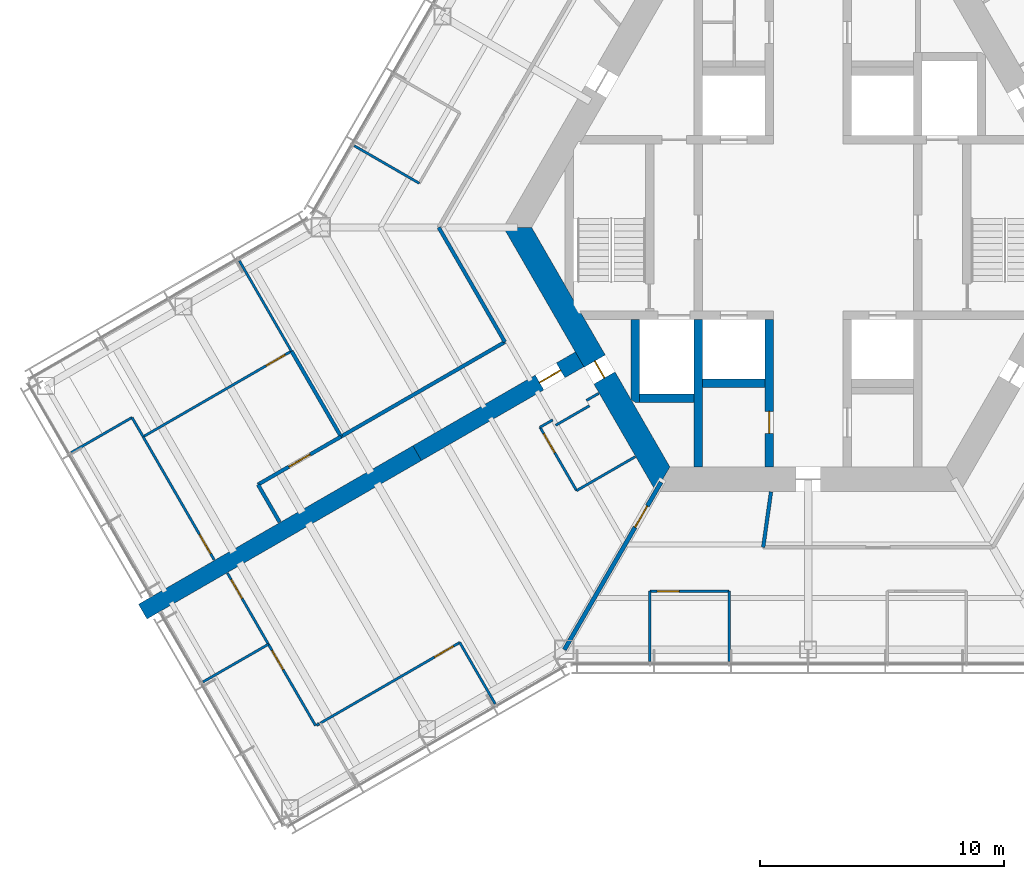
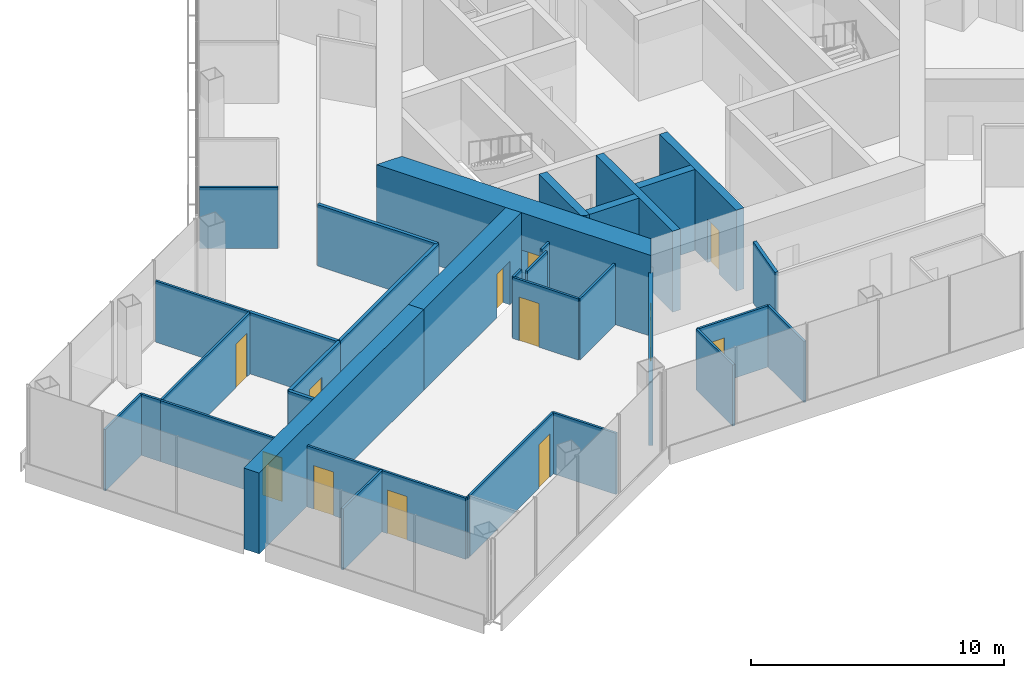
# One storey, part 12 of 18: 35 walls, 12 doors, 12 openings.
"""IFC4 building model written with IfcOpenShell, lengths in metres."""

from ifc_helpers import new_model, si_unit, direction, frame, frame_2d, origin, place, context, subcontext, project, spatial, polyline, rectangle, outline, extrude, material, layer, layer_set, type_object, element, fill, save


model = new_model("IFC4")

# Units and contexts
model_context = context("Model", 3, precision=1e-05, world=origin(), true_north=direction((0.0, 1.0)))
body_context = subcontext(model_context, "Body", "Model", "MODEL_VIEW")
ifc_project = project(units=[si_unit("LENGTHUNIT", "METRE"), si_unit("AREAUNIT", "SQUARE_METRE"), si_unit("VOLUMEUNIT", "CUBIC_METRE"), si_unit("PLANEANGLEUNIT", "RADIAN"), si_unit("MASSUNIT", "GRAM", prefix="KILO")], contexts=[model_context])

# Site, building, storey
site_placement = place(None, origin())
site = spatial("IfcSite", under=ifc_project, at=site_placement, CompositionType="ELEMENT")
building_placement = place(site_placement, origin())
building = spatial("IfcBuilding", under=site, at=building_placement, Name="Kasaneha Research Tower", CompositionType="ELEMENT")
storey_placement = place(building_placement, frame((0.0, 0.0, 179.89990234375)))
storey = spatial("IfcBuildingStorey", under=building, at=storey_placement, Name="L45", CompositionType="ELEMENT", Elevation=179.89990234375)

# Wall, opening, door
ifc_material_1 = material(Name="Concrete Fc70", Category="concrete")
ifc_layer_1 = layer(ifc_material_1, 0.35009765625)
ifc_layer_set_1 = layer_set([ifc_layer_1], Name="Core internal wall 350 Fc70")
wall_type_1 = type_object("IfcWallType", Name="Core internal wall 350 Fc70", PredefinedType="SHEAR", material=ifc_layer_set_1)
wall_1_placement = place(storey_placement, frame((-1.60009765625, -3.77490234375, 0.0), z_axis=(0.0, 0.0, 1.0), x_axis=(0.0, -1.0, 0.0)))
wall_1 = element("IfcWall", 1, at=wall_1_placement, inside=storey, type_object=wall_type_1, Name="Core wall CSW L45", PredefinedType="SHEAR", context=body_context, shape_type="SweptSolid", body=[
    extrude(rectangle(XDim=6.050048828125, YDim=0.35009765625, at=frame_2d((3.02490234375, 0.0))), origin(), (0.0, 0.0, 1.0), 3.900146484375),
])
opening_1_placement = place(wall_1_placement, frame((3.77490234375, 0.0, 0.0)))
opening_1 = element("IfcOpeningElement", 2, at=opening_1_placement, cuts=wall_1, Name="Opening L45-D16", PredefinedType="OPENING", context=body_context, shape_type="SweptSolid", body=[
    extrude(rectangle(XDim=0.89990234375, YDim=2.10009765625, at=frame_2d((0.449951171875, 1.050048828125))), frame((0.0, 0.18505859375, 0.0), z_axis=(0.0, -1.0, 0.0), x_axis=(1.0, 0.0, 0.0)), (0.0, 0.0, 1.0), 0.3701171875),
])
ifc_material_2 = material(Name="Steel", Category="steel")
door_type_1 = type_object("IfcDoorType", Name="Riser access door FD60 900x2100", OperationType="NOTDEFINED", PredefinedType="DOOR", material=ifc_material_2)
door_1_placement = place(opening_1_placement, origin())
door_1 = element("IfcDoor", 3, at=door_1_placement, inside=storey, type_object=door_type_1, Name="Electrical riser door L45-D16", OperationType="SINGLE_SWING_LEFT", OverallHeight=2.10009765625, OverallWidth=0.89990234375, PredefinedType="DOOR", context=body_context, shape_type="SweptSolid", body=[
    extrude(rectangle(XDim=0.89990234375, YDim=2.10009765625, at=frame_2d((0.449951171875, 1.050048828125))), frame((0.0, 0.02490234375, 0.0), z_axis=(0.0, -1.0, 0.0), x_axis=(1.0, 0.0, 0.0)), (0.0, 0.0, 1.0), 0.050048828125),
])
fill(opening_1, door_1)

# Walls
wall_2_placement = place(storey_placement, frame((-4.5, -3.77490234375, 0.0), z_axis=(0.0, 0.0, 1.0), x_axis=(0.0, -1.0, 0.0)))
element("IfcWall", 4, at=wall_2_placement, inside=storey, type_object=wall_type_1, Name="Core wall SSW L45", PredefinedType="SHEAR", context=body_context, shape_type="SweptSolid", body=[
    extrude(rectangle(XDim=6.050048828125, YDim=0.35009765625, at=frame_2d((3.02490234375, 0.0))), origin(), (0.0, 0.0, 1.0), 3.900146484375),
])
wall_3_placement = place(storey_placement, frame((-4.324951171875, -6.39990234375, 0.0), z_axis=(0.0, 0.0, 1.0), x_axis=(1.0, 0.0, 0.0)))
element("IfcWall", 5, at=wall_3_placement, inside=storey, type_object=wall_type_1, Name="Core wall S1S L45", PredefinedType="SHEAR", context=body_context, shape_type="SweptSolid", body=[
    extrude(rectangle(XDim=2.550048828125, YDim=0.35009765625, at=frame_2d((1.27490234375, 0.0))), origin(), (0.0, 0.0, 1.0), 3.900146484375),
])
wall_4_placement = place(storey_placement, frame((-6.925048828125, -7.0, 0.0), z_axis=(0.0, 0.0, 1.0), x_axis=(1.0, 0.0, 0.0)))
element("IfcWall", 6, at=wall_4_placement, inside=storey, type_object=wall_type_1, Name="Core wall F2S L45", PredefinedType="SHEAR", context=body_context, shape_type="SweptSolid", body=[
    extrude(rectangle(XDim=2.25, YDim=0.35009765625, at=frame_2d((1.125, 0.0))), origin(), (0.0, 0.0, 1.0), 3.900146484375),
])
wall_5_placement = place(storey_placement, frame((-7.10009765625, -3.77490234375, 0.0), z_axis=(0.0, 0.0, 1.0), x_axis=(0.0, -1.0, 0.0)))
element("IfcWall", 7, at=wall_5_placement, inside=storey, type_object=wall_type_1, Name="Core wall F2W L45", PredefinedType="SHEAR", context=body_context, shape_type="SweptSolid", body=[
    extrude(outline(polyline([(0.0, -0.175048828125), (3.2744140625, -0.175048828125), (3.400146484375, 0.0), (3.400146484375, 0.175048828125), (0.0, 0.175048828125), (0.0, -0.175048828125)])), origin(), (0.0, 0.0, 1.0), 3.900146484375),
])

# Wall, opening, door
ifc_material_3 = material(Name="Concrete Fc70", Category="concrete")
ifc_layer_2 = layer(ifc_material_3, 1.0)
ifc_layer_set_2 = layer_set([ifc_layer_2], Name="Core wall 1000 Fc70")
wall_type_2 = type_object("IfcWallType", Name="Core wall 1000 Fc70", PredefinedType="SHEAR", material=ifc_layer_set_2)
wall_6_placement = place(storey_placement, frame((-11.92236328125, 0.0, 0.0), z_axis=(0.0, 0.0, 1.0), x_axis=(0.500004296715, -0.866022923061, 0.0)))
wall_6 = element("IfcWall", 8, at=wall_6_placement, inside=storey, type_object=wall_type_2, Name="Core wall 210 L45", PredefinedType="SHEAR", context=body_context, shape_type="SweptSolid", body=[
    extrude(outline(polyline([(-0.28857421875, -0.5), (6.3310546875, -0.5), (7.131103515625, -0.5), (12.2109375, -0.5), (11.6337890625, 0.5), (7.131103515625, 0.5), (6.3310546875, 0.5), (0.28857421875, 0.5), (-0.28857421875, -0.5)])), origin(), (0.0, 0.0, 1.0), 3.900146484375),
])
opening_2_placement = place(wall_6_placement, frame((6.3310546875, 0.0, 0.0)))
opening_2 = element("IfcOpeningElement", 9, at=opening_2_placement, cuts=wall_6, Name="Opening L45-D06", PredefinedType="OPENING", context=body_context, shape_type="SweptSolid", body=[
    extrude(rectangle(XDim=0.800048828125, YDim=2.10009765625, at=frame_2d((0.39990234375, 1.050048828125))), frame((0.0, 0.510009765625, 0.0), z_axis=(0.0, -1.0, 0.0), x_axis=(1.0, 0.0, 0.0)), (0.0, 0.0, 1.0), 1.02001953125),
])
ifc_material_4 = material(Name="Steel", Category="steel")
door_type_2 = type_object("IfcDoorType", Name="Riser access door FD60 800x2100", OperationType="NOTDEFINED", PredefinedType="DOOR", material=ifc_material_4)
door_2_placement = place(opening_2_placement, origin())
door_2 = element("IfcDoor", 10, at=door_2_placement, inside=storey, type_object=door_type_2, Name="Duct riser door L45-D06", OperationType="SINGLE_SWING_RIGHT", OverallHeight=2.10009765625, OverallWidth=0.800048828125, PredefinedType="DOOR", context=body_context, shape_type="SweptSolid", body=[
    extrude(rectangle(XDim=0.800048828125, YDim=2.10009765625, at=frame_2d((0.39990234375, 1.050048828125))), frame((0.0, 0.02490234375, 0.0), z_axis=(0.0, -1.0, 0.0), x_axis=(1.0, 0.0, 0.0)), (0.0, 0.0, 1.0), 0.050048828125),
])
fill(opening_2, door_2)

# Walls
ifc_material_5 = material(Name="Gypsum board on steel studs, one layer each side", Category="steel")
ifc_layer_3 = layer(ifc_material_5, 0.10009765625)
ifc_layer_set_3 = layer_set([ifc_layer_3], Name="Office partition 100")
wall_type_3 = type_object("IfcWallType", Name="Office partition 100", PredefinedType="PARTITIONING", material=ifc_layer_set_3)
wall_7_placement = place(storey_placement, frame((-27.73828125, -7.797119140625, 0.0), z_axis=(0.0, 0.0, 1.0), x_axis=(-0.866069831116, -0.499923041708, 0.0)))
element("IfcWall", 11, at=wall_7_placement, inside=storey, type_object=wall_type_3, Name="Office partition FBN07 L45", PredefinedType="PARTITIONING", context=body_context, shape_type="SweptSolid", body=[
    extrude(rectangle(XDim=2.8798828125, YDim=0.10009765625, at=frame_2d((1.43994140625, 0.0))), origin(), (0.0, 0.0, 1.0), 2.9501953125),
])
wall_8_placement = place(storey_placement, frame((-27.27490234375, -8.58935546875, 0.0), z_axis=(0.0, 0.0, 1.0), x_axis=(-0.504879575425, 0.863189790439, 0.0)))
element("IfcWall", 12, at=wall_8_placement, inside=storey, type_object=wall_type_3, Name="Office partition FBN08 L45", PredefinedType="PARTITIONING", context=body_context, shape_type="SweptSolid", body=[
    extrude(rectangle(XDim=0.917724609375, YDim=0.10009765625, at=frame_2d((0.458984375, 0.0))), origin(), (0.0, 0.0, 1.0), 2.9501953125),
])
wall_9_placement = place(storey_placement, frame((-23.332275390625, -1.36962890625, 0.0), z_axis=(0.0, 0.0, 1.0), x_axis=(0.499054016655, -0.866570879075, 0.0)))
element("IfcWall", 13, at=wall_9_placement, inside=storey, type_object=wall_type_3, Name="Office partition FBN09 L45", PredefinedType="PARTITIONING", context=body_context, shape_type="SweptSolid", body=[
    extrude(rectangle(XDim=4.280029296875, YDim=0.10009765625, at=frame_2d((2.14013671875, 0.0))), origin(), (0.0, 0.0, 1.0), 2.9501953125),
])

# Wall, opening, door
wall_10_placement = place(storey_placement, frame((-21.194580078125, -5.072265625, 0.0), z_axis=(0.0, 0.0, 1.0), x_axis=(-0.865987754233, -0.500065205266, 0.0)))
wall_10 = element("IfcWall", 14, at=wall_10_placement, inside=storey, type_object=wall_type_3, Name="Office partition FBN10 L45", PredefinedType="PARTITIONING", context=body_context, shape_type="SweptSolid", body=[
    extrude(rectangle(XDim=7.02880859375, YDim=0.10009765625, at=frame_2d((3.514404296875, 0.0))), origin(), (0.0, 0.0, 1.0), 2.9501953125),
])
opening_3_placement = place(wall_10_placement, frame((0.300048828125, 0.0, 0.0)))
opening_3 = element("IfcOpeningElement", 15, at=opening_3_placement, cuts=wall_10, Name="Opening L45-D33", PredefinedType="OPENING", context=body_context, shape_type="SweptSolid", body=[
    extrude(rectangle(XDim=0.89990234375, YDim=2.10009765625, at=frame_2d((0.449951171875, 1.050048828125))), frame((0.0, 0.06005859375, 0.0), z_axis=(0.0, -1.0, 0.0), x_axis=(1.0, 0.0, 0.0)), (0.0, 0.0, 1.0), 0.1201171875),
])
ifc_material_6 = material(Name="Timber veneer", Category="wood")
door_type_3 = type_object("IfcDoorType", Name="Office door 900x2100", OperationType="SINGLE_SWING_LEFT", PredefinedType="DOOR", material=ifc_material_6)
door_3_placement = place(opening_3_placement, origin())
door_3 = element("IfcDoor", 16, at=door_3_placement, inside=storey, type_object=door_type_3, Name="Board meeting room door L45-D33", OperationType="SINGLE_SWING_LEFT", OverallHeight=2.10009765625, OverallWidth=0.89990234375, PredefinedType="DOOR", context=body_context, shape_type="SweptSolid", body=[
    extrude(rectangle(XDim=0.89990234375, YDim=2.10009765625, at=frame_2d((0.449951171875, 1.050048828125))), frame((0.0, 0.02490234375, 0.0), z_axis=(0.0, -1.0, 0.0), x_axis=(1.0, 0.0, 0.0)), (0.0, 0.0, 1.0), 0.050048828125),
])
fill(opening_3, door_3)

wall_11_placement = place(storey_placement, frame((-27.281982421875, -8.58740234375, 0.0), z_axis=(0.0, 0.0, 1.0), x_axis=(0.499991719831, -0.86603018429, 0.0)))
wall_11 = element("IfcWall", 17, at=wall_11_placement, inside=storey, type_object=wall_type_3, Name="Office partition FBN11 L45", PredefinedType="PARTITIONING", context=body_context, shape_type="SweptSolid", body=[
    extrude(rectangle(XDim=5.833984375, YDim=0.10009765625, at=frame_2d((2.9169921875, 0.0))), origin(), (0.0, 0.0, 1.0), 2.9501953125),
])
opening_4_placement = place(wall_11_placement, frame((4.634033203125, 0.0, 0.0)))
opening_4 = element("IfcOpeningElement", 18, at=opening_4_placement, cuts=wall_11, Name="Opening L45-D34", PredefinedType="OPENING", context=body_context, shape_type="SweptSolid", body=[
    extrude(rectangle(XDim=0.89990234375, YDim=2.10009765625, at=frame_2d((0.449951171875, 1.050048828125))), frame((0.0, 0.06005859375, 0.0), z_axis=(0.0, -1.0, 0.0), x_axis=(1.0, 0.0, 0.0)), (0.0, 0.0, 1.0), 0.1201171875),
])
door_4_placement = place(opening_4_placement, origin())
door_4 = element("IfcDoor", 19, at=door_4_placement, inside=storey, type_object=door_type_3, Name="Manager's office door L45-D34", OperationType="SINGLE_SWING_RIGHT", OverallHeight=2.10009765625, OverallWidth=0.89990234375, PredefinedType="DOOR", context=body_context, shape_type="SweptSolid", body=[
    extrude(rectangle(XDim=0.89990234375, YDim=2.10009765625, at=frame_2d((0.449951171875, 1.050048828125))), frame((0.0, 0.02490234375, 0.0), z_axis=(0.0, -1.0, 0.0), x_axis=(1.0, 0.0, 0.0)), (0.0, 0.0, 1.0), 0.050048828125),
])
fill(opening_4, door_4)

# Walls
wall_12_placement = place(storey_placement, frame((-15.952392578125, 1.810546875, 0.0), z_axis=(0.0, 0.0, 1.0), x_axis=(-0.866029832698, 0.499992328818, 0.0)))
element("IfcWall", 20, at=wall_12_placement, inside=storey, type_object=wall_type_3, Name="Office partition FBN16 L45", PredefinedType="PARTITIONING", context=body_context, shape_type="SweptSolid", body=[
    extrude(rectangle(XDim=3.080078125, YDim=0.10009765625, at=frame_2d((1.5400390625, 0.0))), origin(), (0.0, 0.0, 1.0), 2.9501953125),
])
wall_13_placement = place(storey_placement, frame((-10.99951171875, -8.197998046875, 0.0), z_axis=(0.0, 0.0, 1.0), x_axis=(0.866131372301, 0.499816412211, 0.0)))
element("IfcWall", 21, at=wall_13_placement, inside=storey, type_object=wall_type_3, Name="Office partition FBS01 L45", PredefinedType="PARTITIONING", context=body_context, shape_type="SweptSolid", body=[
    extrude(rectangle(XDim=0.599853515625, YDim=0.10009765625, at=frame_2d((0.2998046875, 0.0))), origin(), (0.0, 0.0, 1.0), 2.9501953125),
])
wall_14_placement = place(storey_placement, frame((-10.35498046875, -8.114501953125, 0.0), z_axis=(0.0, 0.0, 1.0), x_axis=(0.866094119867, 0.499880961361, 0.0)))
element("IfcWall", 22, at=wall_14_placement, inside=storey, type_object=wall_type_3, Name="Office partition FBS02 L45", PredefinedType="PARTITIONING", context=body_context, shape_type="SweptSolid", body=[
    extrude(rectangle(XDim=1.60009765625, YDim=0.10009765625, at=frame_2d((0.800048828125, 0.0))), origin(), (0.0, 0.0, 1.0), 2.9501953125),
])

# Wall, opening, door
wall_15_placement = place(storey_placement, frame((-9.49951171875, -10.796142578125, 0.0), z_axis=(0.0, 0.0, 1.0), x_axis=(-0.499990139034, 0.866031096941, 0.0)))
wall_15 = element("IfcWall", 23, at=wall_15_placement, inside=storey, type_object=wall_type_3, Name="Office partition FBS03 L45", PredefinedType="PARTITIONING", context=body_context, shape_type="SweptSolid", body=[
    extrude(rectangle(XDim=3.0, YDim=0.10009765625, at=frame_2d((1.5, 0.0))), origin(), (0.0, 0.0, 1.0), 2.9501953125),
])
opening_5_placement = place(wall_15_placement, frame((1.800048828125, 0.0, 0.0)))
opening_5 = element("IfcOpeningElement", 24, at=opening_5_placement, cuts=wall_15, Name="Opening L45-D37", PredefinedType="OPENING", context=body_context, shape_type="SweptSolid", body=[
    extrude(rectangle(XDim=0.89990234375, YDim=2.10009765625, at=frame_2d((0.449951171875, 1.050048828125))), frame((0.0, 0.06005859375, 0.0), z_axis=(0.0, -1.0, 0.0), x_axis=(1.0, 0.0, 0.0)), (0.0, 0.0, 1.0), 0.1201171875),
])
door_5_placement = place(opening_5_placement, origin())
door_5 = element("IfcDoor", 25, at=door_5_placement, inside=storey, type_object=door_type_3, Name="Pantry door L45-D37", OperationType="SINGLE_SWING_RIGHT", OverallHeight=2.10009765625, OverallWidth=0.89990234375, PredefinedType="DOOR", context=body_context, shape_type="SweptSolid", body=[
    extrude(rectangle(XDim=0.89990234375, YDim=2.10009765625, at=frame_2d((0.449951171875, 1.050048828125))), frame((0.0, 0.02490234375, 0.0), z_axis=(0.0, -1.0, 0.0), x_axis=(1.0, 0.0, 0.0)), (0.0, 0.0, 1.0), 0.050048828125),
])
fill(opening_5, door_5)

# Walls
wall_16_placement = place(storey_placement, frame((-9.09423828125, -7.09814453125, 0.0), z_axis=(0.0, 0.0, 1.0), x_axis=(0.865954211699, 0.50012328804, 0.0)))
element("IfcWall", 26, at=wall_16_placement, inside=storey, type_object=wall_type_3, Name="Office partition FBS04 L45", PredefinedType="PARTITIONING", context=body_context, shape_type="SweptSolid", body=[
    extrude(rectangle(XDim=0.579833984375, YDim=0.10009765625, at=frame_2d((0.2900390625, 0.0))), origin(), (0.0, 0.0, 1.0), 2.9501953125),
])
wall_17_placement = place(storey_placement, frame((-7.092041015625, -9.40625, 0.0), z_axis=(0.0, 0.0, 1.0), x_axis=(-0.86603494908, -0.499983466698, 0.0)))
element("IfcWall", 27, at=wall_17_placement, inside=storey, type_object=wall_type_3, Name="Office partition FBS05 L45", PredefinedType="PARTITIONING", context=body_context, shape_type="SweptSolid", body=[
    extrude(rectangle(XDim=2.77978515625, YDim=0.10009765625, at=frame_2d((1.389892578125, 0.0))), origin(), (0.0, 0.0, 1.0), 2.9501953125),
])

# Wall, opening, door
wall_18_placement = place(storey_placement, frame((-20.02294921875, -20.340576171875, 0.0), z_axis=(0.0, 0.0, 1.0), x_axis=(0.865724093718, 0.500521521571, 0.0)))
wall_18 = element("IfcWall", 28, at=wall_18_placement, inside=storey, type_object=wall_type_3, Name="Office partition FBS07 L45", PredefinedType="PARTITIONING", context=body_context, shape_type="SweptSolid", body=[
    extrude(rectangle(XDim=6.61962890625, YDim=0.10009765625, at=frame_2d((3.309814453125, 0.0))), origin(), (0.0, 0.0, 1.0), 2.9501953125),
])
opening_6_placement = place(wall_18_placement, frame((5.419677734375, 0.0, 0.0)))
opening_6 = element("IfcOpeningElement", 29, at=opening_6_placement, cuts=wall_18, Name="Opening L45-D38", PredefinedType="OPENING", context=body_context, shape_type="SweptSolid", body=[
    extrude(rectangle(XDim=0.89990234375, YDim=2.10009765625, at=frame_2d((0.449951171875, 1.050048828125))), frame((0.0, 0.06005859375, 0.0), z_axis=(0.0, -1.0, 0.0), x_axis=(1.0, 0.0, 0.0)), (0.0, 0.0, 1.0), 0.1201171875),
])
door_6_placement = place(opening_6_placement, origin())
door_6 = element("IfcDoor", 30, at=door_6_placement, inside=storey, type_object=door_type_3, Name="Manager's office door L45-D38", OperationType="SINGLE_SWING_RIGHT", OverallHeight=2.10009765625, OverallWidth=0.89990234375, PredefinedType="DOOR", context=body_context, shape_type="SweptSolid", body=[
    extrude(rectangle(XDim=0.89990234375, YDim=2.10009765625, at=frame_2d((0.449951171875, 1.050048828125))), frame((0.0, 0.02490234375, 0.0), z_axis=(0.0, -1.0, 0.0), x_axis=(1.0, 0.0, 0.0)), (0.0, 0.0, 1.0), 0.050048828125),
])
fill(opening_6, door_6)

# Walls
wall_19_placement = place(storey_placement, frame((-14.292236328125, -17.02734375, 0.0), z_axis=(0.0, 0.0, 1.0), x_axis=(0.500025556299, -0.866010648346, 0.0)))
element("IfcWall", 31, at=wall_19_placement, inside=storey, type_object=wall_type_3, Name="Office partition FBS08 L45", PredefinedType="PARTITIONING", context=body_context, shape_type="SweptSolid", body=[
    extrude(rectangle(XDim=2.905029296875, YDim=0.10009765625, at=frame_2d((1.45263671875, 0.0))), origin(), (0.0, 0.0, 1.0), 2.9501953125),
])
wall_20_placement = place(storey_placement, frame((-24.8291015625, -18.64599609375, 0.0), z_axis=(0.0, 0.0, 1.0), x_axis=(0.866817104484, 0.498626220103, 0.0)))
element("IfcWall", 32, at=wall_20_placement, inside=storey, type_object=wall_type_3, Name="Office partition FBS09 L45", PredefinedType="PARTITIONING", context=body_context, shape_type="SweptSolid", body=[
    extrude(rectangle(XDim=3.105224609375, YDim=0.10009765625, at=frame_2d((1.552734375, 0.0))), origin(), (0.0, 0.0, 1.0), 2.9501953125),
])

# Wall, opening, door
wall_21_placement = place(storey_placement, frame((-22.143798828125, -17.095458984375, 0.0), z_axis=(0.0, 0.0, 1.0), x_axis=(0.501190610045, -0.865336912655, 0.0)))
wall_21 = element("IfcWall", 33, at=wall_21_placement, inside=storey, type_object=wall_type_3, Name="Office partition FBS10 L45", PredefinedType="PARTITIONING", context=body_context, shape_type="SweptSolid", body=[
    extrude(rectangle(XDim=3.86572265625, YDim=0.10009765625, at=frame_2d((1.932861328125, 0.0))), origin(), (0.0, 0.0, 1.0), 2.9501953125),
])
opening_7_placement = place(wall_21_placement, frame((0.300048828125, 0.0, 0.0)))
opening_7 = element("IfcOpeningElement", 34, at=opening_7_placement, cuts=wall_21, Name="Opening L45-D39", PredefinedType="OPENING", context=body_context, shape_type="SweptSolid", body=[
    extrude(rectangle(XDim=0.89990234375, YDim=2.10009765625, at=frame_2d((0.449951171875, 1.050048828125))), frame((0.0, 0.06005859375, 0.0), z_axis=(0.0, -1.0, 0.0), x_axis=(1.0, 0.0, 0.0)), (0.0, 0.0, 1.0), 0.1201171875),
])
door_7_placement = place(opening_7_placement, origin())
door_7 = element("IfcDoor", 35, at=door_7_placement, inside=storey, type_object=door_type_3, Name="Workroom door L45-D39", OperationType="SINGLE_SWING_LEFT", OverallHeight=2.10009765625, OverallWidth=0.89990234375, PredefinedType="DOOR", context=body_context, shape_type="SweptSolid", body=[
    extrude(rectangle(XDim=0.89990234375, YDim=2.10009765625, at=frame_2d((0.449951171875, 1.050048828125))), frame((0.0, 0.02490234375, 0.0), z_axis=(0.0, -1.0, 0.0), x_axis=(1.0, 0.0, 0.0)), (0.0, 0.0, 1.0), 0.050048828125),
])
fill(opening_7, door_7)

wall_22_placement = place(storey_placement, frame((-23.82177734375, -14.1806640625, 0.0), z_axis=(0.0, 0.0, 1.0), x_axis=(0.49891157834, -0.866652893031, 0.0)))
wall_22 = element("IfcWall", 36, at=wall_22_placement, inside=storey, type_object=wall_type_3, Name="Office partition FBS11 L45", PredefinedType="PARTITIONING", context=body_context, shape_type="SweptSolid", body=[
    extrude(rectangle(XDim=3.36328125, YDim=0.10009765625, at=frame_2d((1.681640625, 0.0))), origin(), (0.0, 0.0, 1.0), 2.9501953125),
])
opening_8_placement = place(wall_22_placement, frame((0.300048828125, 0.0, 0.0)))
opening_8 = element("IfcOpeningElement", 37, at=opening_8_placement, cuts=wall_22, Name="Opening L45-D40", PredefinedType="OPENING", context=body_context, shape_type="SweptSolid", body=[
    extrude(rectangle(XDim=0.89990234375, YDim=2.10009765625, at=frame_2d((0.449951171875, 1.050048828125))), frame((0.0, 0.06005859375, 0.0), z_axis=(0.0, -1.0, 0.0), x_axis=(1.0, 0.0, 0.0)), (0.0, 0.0, 1.0), 0.1201171875),
])
door_8_placement = place(opening_8_placement, origin())
door_8 = element("IfcDoor", 38, at=door_8_placement, inside=storey, type_object=door_type_3, Name="Phone room door L45-D40", OperationType="SINGLE_SWING_LEFT", OverallHeight=2.10009765625, OverallWidth=0.89990234375, PredefinedType="DOOR", context=body_context, shape_type="SweptSolid", body=[
    extrude(rectangle(XDim=0.89990234375, YDim=2.10009765625, at=frame_2d((0.449951171875, 1.050048828125))), frame((0.0, 0.02490234375, 0.0), z_axis=(0.0, -1.0, 0.0), x_axis=(1.0, 0.0, 0.0)), (0.0, 0.0, 1.0), 0.050048828125),
])
fill(opening_8, door_8)

# Wall
wall_23_placement = place(storey_placement, frame((-6.492919921875, -17.800537109375, 0.0), z_axis=(0.0, 0.0, 1.0), x_axis=(0.0, 1.0, 0.0)))
element("IfcWall", 39, at=wall_23_placement, inside=storey, type_object=wall_type_3, Name="Office partition FCS10 L45", PredefinedType="PARTITIONING", context=body_context, shape_type="SweptSolid", body=[
    extrude(rectangle(XDim=2.880126953125, YDim=0.10009765625, at=frame_2d((1.43994140625, 0.0))), origin(), (0.0, 0.0, 1.0), 2.9501953125),
])

# Wall, opening, door
wall_24_placement = place(storey_placement, frame((-6.492919921875, -14.92041015625, 0.0), z_axis=(0.0, 0.0, 1.0), x_axis=(1.0, 0.0, 0.0)))
wall_24 = element("IfcWall", 40, at=wall_24_placement, inside=storey, type_object=wall_type_3, Name="Office partition FCS11 L45", PredefinedType="PARTITIONING", context=body_context, shape_type="SweptSolid", body=[
    extrude(rectangle(XDim=3.24658203125, YDim=0.10009765625, at=frame_2d((1.623291015625, 0.0))), origin(), (0.0, 0.0, 1.0), 2.9501953125),
])
opening_9_placement = place(wall_24_placement, frame((0.300048828125, 0.0, 0.0)))
opening_9 = element("IfcOpeningElement", 41, at=opening_9_placement, cuts=wall_24, Name="Opening L45-D46", PredefinedType="OPENING", context=body_context, shape_type="SweptSolid", body=[
    extrude(rectangle(XDim=0.89990234375, YDim=2.10009765625, at=frame_2d((0.449951171875, 1.050048828125))), frame((0.0, 0.06005859375, 0.0), z_axis=(0.0, -1.0, 0.0), x_axis=(1.0, 0.0, 0.0)), (0.0, 0.0, 1.0), 0.1201171875),
])
door_9_placement = place(opening_9_placement, origin())
door_9 = element("IfcDoor", 42, at=door_9_placement, inside=storey, type_object=door_type_3, Name="Manager's office door L45-D46", OperationType="SINGLE_SWING_LEFT", OverallHeight=2.10009765625, OverallWidth=0.89990234375, PredefinedType="DOOR", context=body_context, shape_type="SweptSolid", body=[
    extrude(rectangle(XDim=0.89990234375, YDim=2.10009765625, at=frame_2d((0.449951171875, 1.050048828125))), frame((0.0, 0.02490234375, 0.0), z_axis=(0.0, -1.0, 0.0), x_axis=(1.0, 0.0, 0.0)), (0.0, 0.0, 1.0), 0.050048828125),
])
fill(opening_9, door_9)

# Walls
wall_25_placement = place(storey_placement, frame((-3.246337890625, -14.92041015625, 0.0), z_axis=(0.0, 0.0, 1.0), x_axis=(0.0, -1.0, 0.0)))
element("IfcWall", 43, at=wall_25_placement, inside=storey, type_object=wall_type_3, Name="Office partition FCS12 L45", PredefinedType="PARTITIONING", context=body_context, shape_type="SweptSolid", body=[
    extrude(rectangle(XDim=2.880126953125, YDim=0.10009765625, at=frame_2d((1.43994140625, 0.0))), origin(), (0.0, 0.0, 1.0), 2.9501953125),
])
wall_26_placement = place(storey_placement, frame((-20.162841796875, -20.416015625, 0.0), z_axis=(0.0, 0.0, 1.0), x_axis=(0.868768086692, 0.495219155068, 0.0)))
element("IfcWall", 44, at=wall_26_placement, inside=storey, type_object=wall_type_3, Name="Office partition closer PT5 L45", PredefinedType="PARTITIONING", context=body_context, shape_type="SweptSolid", body=[
    extrude(rectangle(XDim=0.1142578125, YDim=0.10009765625, at=frame_2d((0.05712890625, 0.0))), origin(), (0.0, 0.0, 1.0), 2.9501953125),
])

# Wall, opening, door
ifc_material_7 = material(Name="Concrete Fc70", Category="concrete")
ifc_layer_4 = layer(ifc_material_7, 0.699951171875)
ifc_layer_set_4 = layer_set([ifc_layer_4], Name="Spine wall 700 Fc70")
wall_type_4 = type_object("IfcWallType", Name="Spine wall 700 Fc70", PredefinedType="SHEAR", material=ifc_layer_set_4)
wall_27_placement = place(storey_placement, frame((-9.374755859375, -5.41259765625, 0.0), z_axis=(0.0, 0.0, 1.0), x_axis=(-0.866032377459, -0.499987921047, 0.0)))
wall_27 = element("IfcWall", 45, at=wall_27_placement, inside=storey, type_object=wall_type_4, Name="Spine wall B L45", PredefinedType="SHEAR", context=body_context, shape_type="SweptSolid", body=[
    extrude(rectangle(XDim=7.695556640625, YDim=0.699951171875, at=frame_2d((3.84765625, 0.0))), origin(), (0.0, 0.0, 1.0), 3.900146484375),
])
opening_10_placement = place(wall_27_placement, frame((0.89990234375, 0.0, 0.0)))
opening_10 = element("IfcOpeningElement", 46, at=opening_10_placement, cuts=wall_27, Name="Opening L45-D18", PredefinedType="OPENING", context=body_context, shape_type="SweptSolid", body=[
    extrude(rectangle(XDim=1.0, YDim=2.10009765625, at=frame_2d((0.5, 1.050048828125))), frame((0.0, 0.35986328125, 0.0), z_axis=(0.0, -1.0, 0.0), x_axis=(1.0, 0.0, 0.0)), (0.0, 0.0, 1.0), 0.719970703125),
])
ifc_material_8 = material(Name="Steel", Category="steel")
door_type_4 = type_object("IfcDoorType", Name="Specified fire door FD60 1000x2100", OperationType="NOTDEFINED", PredefinedType="DOOR", material=ifc_material_8)
door_10_placement = place(opening_10_placement, origin())
door_10 = element("IfcDoor", 47, at=door_10_placement, inside=storey, type_object=door_type_4, Name="Spine doorway B L45-D18", OperationType="SINGLE_SWING_LEFT", OverallHeight=2.10009765625, OverallWidth=1.0, PredefinedType="DOOR", context=body_context, shape_type="SweptSolid", body=[
    extrude(rectangle(XDim=1.0, YDim=2.10009765625, at=frame_2d((0.5, 1.050048828125))), frame((0.0, 0.02490234375, 0.0), z_axis=(0.0, -1.0, 0.0), x_axis=(1.0, 0.0, 0.0)), (0.0, 0.0, 1.0), 0.050048828125),
])
fill(opening_10, door_10)

# Walls
wall_28_placement = place(storey_placement, frame((-16.039306640625, -9.26025390625, 0.0), z_axis=(0.0, 0.0, 1.0), x_axis=(-0.866024837091, -0.50000098154, 0.0)))
element("IfcWall", 48, at=wall_28_placement, inside=storey, type_object=wall_type_4, Name="Spine wall B wing L45", PredefinedType="SHEAR", context=body_context, shape_type="SweptSolid", body=[
    extrude(rectangle(XDim=13.0, YDim=0.699951171875, at=frame_2d((6.5, 0.0))), origin(), (0.0, 0.0, 1.0), 3.900146484375),
])
ifc_material_9 = material(Name="Gypsum board on steel studs, two layers each side", Category="steel")
ifc_layer_5 = layer(ifc_material_9, 0.14990234375)
ifc_layer_set_5 = layer_set([ifc_layer_5], Name="Suite partition 150")
wall_type_5 = type_object("IfcWallType", Name="Suite partition 150", PredefinedType="PARTITIONING", material=ifc_layer_set_5)
wall_29_placement = place(storey_placement, frame((-19.17138671875, -8.586181640625, 0.0), z_axis=(0.0, 0.0, 1.0), x_axis=(0.866007176269, 0.500031569654, 0.0)))
element("IfcWall", 49, at=wall_29_placement, inside=storey, type_object=wall_type_5, Name="Suite partition FBN01 L45", PredefinedType="PARTITIONING", context=body_context, shape_type="SweptSolid", body=[
    extrude(rectangle(XDim=7.77099609375, YDim=0.14990234375, at=frame_2d((3.885498046875, 0.0))), origin(), (0.0, 0.0, 1.0), 2.9501953125),
])
wall_30_placement = place(storey_placement, frame((-12.441650390625, -4.700439453125, 0.0), z_axis=(0.0, 0.0, 1.0), x_axis=(-0.500009286329, 0.866020042254, 0.0)))
element("IfcWall", 50, at=wall_30_placement, inside=storey, type_object=wall_type_5, Name="Suite partition FBN03 L45", PredefinedType="PARTITIONING", context=body_context, shape_type="SweptSolid", body=[
    extrude(rectangle(XDim=5.427734375, YDim=0.14990234375, at=frame_2d((2.7138671875, 0.0))), origin(), (0.0, 0.0, 1.0), 2.9501953125),
])

# Wall, opening, door
wall_31_placement = place(storey_placement, frame((-22.5703125, -10.54833984375, 0.0), z_axis=(0.0, 0.0, 1.0), x_axis=(0.866027491634, 0.499996383721, 0.0)))
wall_31 = element("IfcWall", 51, at=wall_31_placement, inside=storey, type_object=wall_type_5, Name="Suite partition FBN05 L45", PredefinedType="PARTITIONING", context=body_context, shape_type="SweptSolid", body=[
    extrude(rectangle(XDim=3.9345703125, YDim=0.14990234375, at=frame_2d((1.96728515625, 0.0))), origin(), (0.0, 0.0, 1.0), 2.9501953125),
])
opening_11_placement = place(wall_31_placement, frame((1.467041015625, 0.0, 0.0)))
opening_11 = element("IfcOpeningElement", 52, at=opening_11_placement, cuts=wall_31, Name="Opening L45-D32", PredefinedType="OPENING", context=body_context, shape_type="SweptSolid", body=[
    extrude(rectangle(XDim=1.0, YDim=2.10009765625, at=frame_2d((0.5, 1.050048828125))), frame((0.0, 0.0849609375, 0.0), z_axis=(0.0, -1.0, 0.0), x_axis=(1.0, 0.0, 0.0)), (0.0, 0.0, 1.0), 0.169921875),
])
ifc_material_10 = material(Name="Steel", Category="steel")
door_type_5 = type_object("IfcDoorType", Name="Suite entrance door FD60 1000x2100", OperationType="NOTDEFINED", PredefinedType="DOOR", material=ifc_material_10)
door_11_placement = place(opening_11_placement, origin())
door_11 = element("IfcDoor", 53, at=door_11_placement, inside=storey, type_object=door_type_5, Name="Suite entrance door L45-D32", OperationType="SINGLE_SWING_LEFT", OverallHeight=2.10009765625, OverallWidth=1.0, PredefinedType="DOOR", context=body_context, shape_type="SweptSolid", body=[
    extrude(rectangle(XDim=1.0, YDim=2.10009765625, at=frame_2d((0.5, 1.050048828125))), frame((0.0, 0.02490234375, 0.0), z_axis=(0.0, -1.0, 0.0), x_axis=(1.0, 0.0, 0.0)), (0.0, 0.0, 1.0), 0.050048828125),
])
fill(opening_11, door_11)

# Walls
wall_32_placement = place(storey_placement, frame((-21.68017578125, -12.08984375, 0.0), z_axis=(0.0, 0.0, 1.0), x_axis=(-0.500062787734, 0.865989150234, 0.0)))
element("IfcWall", 54, at=wall_32_placement, inside=storey, type_object=wall_type_5, Name="Suite partition FBN06 L45", PredefinedType="PARTITIONING", context=body_context, shape_type="SweptSolid", body=[
    extrude(rectangle(XDim=1.780029296875, YDim=0.14990234375, at=frame_2d((0.89013671875, 0.0))), origin(), (0.0, 0.0, 1.0), 2.9501953125),
])
wall_33_placement = place(storey_placement, frame((-19.1630859375, -8.580810546875, 0.0), z_axis=(0.0, 0.0, 1.0), x_axis=(-0.500988791675, 0.865453771507, 0.0)))
element("IfcWall", 55, at=wall_33_placement, inside=storey, type_object=wall_type_5, Name="Suite partition FBN18 L45", PredefinedType="PARTITIONING", context=body_context, shape_type="SweptSolid", body=[
    extrude(rectangle(XDim=4.053955078125, YDim=0.14990234375, at=frame_2d((2.02685546875, 0.0))), origin(), (0.0, 0.0, 1.0), 2.9501953125),
])
wall_34_placement = place(storey_placement, frame((-1.844482421875, -13.125, 0.0), z_axis=(0.0, 0.0, 1.0), x_axis=(0.139119980631, 0.990275532864, 0.0)))
element("IfcWall", 56, at=wall_34_placement, inside=storey, type_object=wall_type_5, Name="Suite partition FCS01 L45", PredefinedType="PARTITIONING", context=body_context, shape_type="SweptSolid", body=[
    extrude(rectangle(XDim=2.302490234375, YDim=0.14990234375, at=frame_2d((1.1513671875, 0.0))), origin(), (0.0, 0.0, 1.0), 2.9501953125),
])

# Wall, opening, door
ifc_material_11 = material(Name="Gypsum board on steel studs, two layers each side", Category="steel")
ifc_layer_6 = layer(ifc_material_11, 0.175048828125)
ifc_layer_set_6 = layer_set([ifc_layer_6], Name="Tenancy fire partition 175")
wall_type_6 = type_object("IfcWallType", Name="Tenancy fire partition 175", PredefinedType="PARTITIONING", material=ifc_layer_set_6)
wall_35_placement = place(storey_placement, frame((-6.034912109375, -10.45263671875, 0.0), z_axis=(0.0, 0.0, 1.0), x_axis=(-0.499989830942, -0.866031274813, 0.0)))
wall_35 = element("IfcWall", 57, at=wall_35_placement, inside=storey, type_object=wall_type_6, Name="Tenancy fire partition T240 L45", PredefinedType="PARTITIONING", context=body_context, shape_type="SweptSolid", body=[
    extrude(rectangle(XDim=7.930419921875, YDim=0.175048828125, at=frame_2d((3.96533203125, 0.0))), origin(), (0.0, 0.0, 1.0), 3.050048828125),
])
opening_12_placement = place(wall_35_placement, frame((1.1298828125, 0.0, 0.0)))
opening_12 = element("IfcOpeningElement", 58, at=opening_12_placement, cuts=wall_35, Name="Opening L45-D23", PredefinedType="OPENING", context=body_context, shape_type="SweptSolid", body=[
    extrude(rectangle(XDim=1.0, YDim=2.10009765625, at=frame_2d((0.5, 1.050048828125))), frame((0.0, 0.09765625, 0.0), z_axis=(0.0, -1.0, 0.0), x_axis=(1.0, 0.0, 0.0)), (0.0, 0.0, 1.0), 0.195068359375),
])
door_12_placement = place(opening_12_placement, origin())
door_12 = element("IfcDoor", 59, at=door_12_placement, inside=storey, type_object=door_type_5, Name="Connecting door L45-D23", OperationType="SINGLE_SWING_LEFT", OverallHeight=2.10009765625, OverallWidth=1.0, PredefinedType="DOOR", context=body_context, shape_type="SweptSolid", body=[
    extrude(rectangle(XDim=1.0, YDim=2.10009765625, at=frame_2d((0.5, 1.050048828125))), frame((0.0, 0.02490234375, 0.0), z_axis=(0.0, -1.0, 0.0), x_axis=(1.0, 0.0, 0.0)), (0.0, 0.0, 1.0), 0.050048828125),
])
fill(opening_12, door_12)

save(model, "model.ifc")
